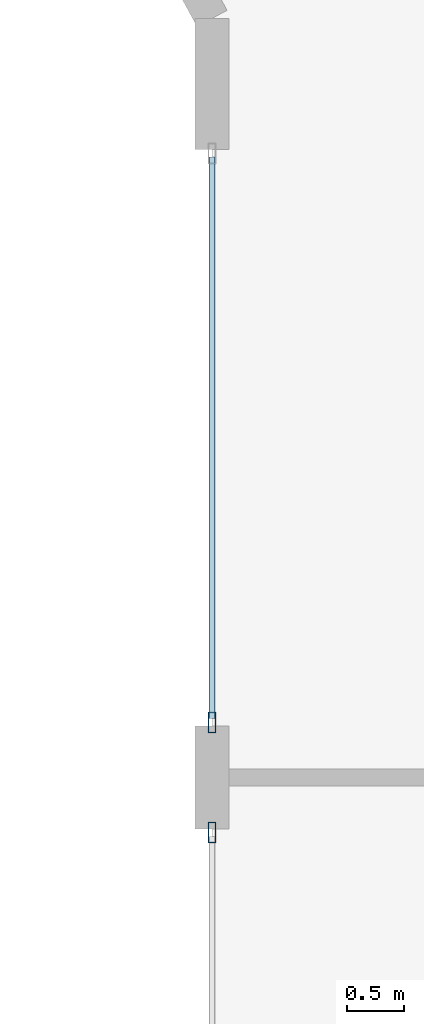
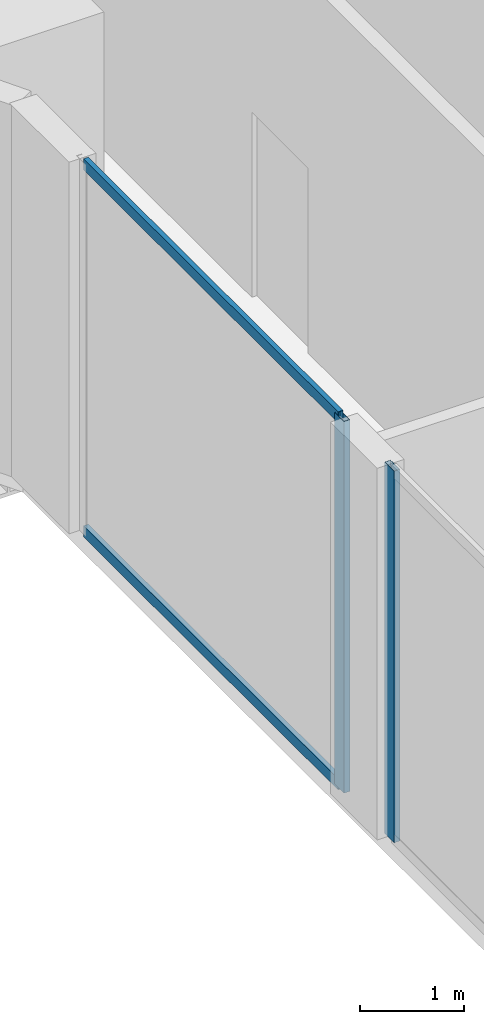
# One storey, part 4 of 33: 4 members, 2 elements without a shape of their own.
"""IFC4 building model written with IfcOpenShell, lengths in metres."""

from ifc_helpers import new_model, si_unit, direction, frame, origin, origin_2d, place, context, subcontext, project, spatial, hollow_rectangle, extrude, material, layer, layer_set, material_profile, profile_set, type_object, element, aggregate, save


model = new_model("IFC4")

# Units and contexts
model_context = context("Model", 3, precision=1e-05, world=origin(), true_north=direction((0.0, 1.0)))
body_context = subcontext(model_context, "Body", "Model", "MODEL_VIEW")
ifc_project = project(units=[si_unit("LENGTHUNIT", "METRE"), si_unit("AREAUNIT", "SQUARE_METRE"), si_unit("VOLUMEUNIT", "CUBIC_METRE"), si_unit("PLANEANGLEUNIT", "RADIAN"), si_unit("MASSUNIT", "GRAM", prefix="KILO")], contexts=[model_context])

# Site, building, storey
site_placement = place(None, origin())
site = spatial("IfcSite", under=ifc_project, at=site_placement, CompositionType="ELEMENT")
building_placement = place(site_placement, origin())
building = spatial("IfcBuilding", under=site, at=building_placement, Name="Zuhayl Quay Hotel", CompositionType="ELEMENT")
storey_placement = place(building_placement, frame((0.0, 0.0, 168.199951171875)))
storey = spatial("IfcBuildingStorey", under=building, at=storey_placement, Name="L42", CompositionType="ELEMENT", Elevation=168.199951171875)

# Curtain wall, member
ifc_material_1 = material(Name="Anodised Aluminium 6063-T6", Category="aluminium")
ifc_layer = layer(ifc_material_1, 0.175048828125, Name="Anodised Aluminium 6063-T6", Category="aluminium")
ifc_layer_set = layer_set([ifc_layer], Name="Anodised Aluminium 6063-T6")
curtain_wall_type = type_object("IfcCurtainWallType", Name="CW_SYS_Z3", PredefinedType="USERDEFINED", material=ifc_layer_set)
curtain_wall_1_placement = place(storey_placement, origin())
curtain_wall_1 = element("IfcCurtainWall", 1, at=curtain_wall_1_placement, inside=storey, type_object=curtain_wall_type, Name="L42 Curtain Wall ENV_L42_E02_CW1", ObjectType="UNITISED CURTAIN WALL", PredefinedType="USERDEFINED")
ifc_material_2 = material(Name="Black-anodised aluminium 6063-T6", Category="aluminium")
ifc_material_profile_1 = material_profile(ifc_material_2, hollow_rectangle(XDim=0.06494140625, YDim=0.179931640625, WallThickness=0.00341796875, at=origin_2d()), Name="ALU180X65")
ifc_profile_set_1 = profile_set([ifc_material_profile_1], Name="Black-anodised aluminium 6063-T6")
member_type_1 = type_object("IfcMemberType", Name="MB_CW_MUL_180", PredefinedType="MULLION", material=ifc_profile_set_1)
member_1_placement = place(storey_placement, frame((-22.10009765625, 1.0673828125, 0.0), z_axis=(0.0, 0.0, 1.0), x_axis=(-1.0, 0.0, 0.0)))
member_1 = element("IfcMember", 2, at=member_1_placement, type_object=member_type_1, Name="CW-Z3 mullion 2", PredefinedType="MULLION", context=body_context, shape_type="SweptSolid", body=[
    extrude(hollow_rectangle(XDim=0.06494140625, YDim=0.179931640625, WallThickness=0.00341796875, at=origin_2d()), origin(), (0.0, 0.0, 1.0), 4.380126953125),
])
aggregate(curtain_wall_1, [member_1])

# Curtain wall, members
curtain_wall_2_placement = place(storey_placement, origin())
curtain_wall_2 = element("IfcCurtainWall", 3, at=curtain_wall_2_placement, inside=storey, type_object=curtain_wall_type, Name="L42 Curtain Wall ENV_L42_E02_CW2", ObjectType="UNITISED CURTAIN WALL", PredefinedType="USERDEFINED")
member_2_placement = place(storey_placement, frame((-22.10009765625, 2.032470703125, 0.0), z_axis=(0.0, 0.0, 1.0), x_axis=(-1.0, 0.0, 0.0)))
member_2 = element("IfcMember", 4, at=member_2_placement, type_object=member_type_1, Name="CW-Z3 mullion 1", PredefinedType="MULLION", context=body_context, shape_type="SweptSolid", body=[
    extrude(hollow_rectangle(XDim=0.06494140625, YDim=0.179931640625, WallThickness=0.00341796875, at=origin_2d()), origin(), (0.0, 0.0, 1.0), 4.380126953125),
])
ifc_material_profile_2 = material_profile(ifc_material_2, hollow_rectangle(XDim=0.054931640625, YDim=0.1298828125, WallThickness=0.0029296875, at=origin_2d()), Name="ALU130X55")
ifc_profile_set_2 = profile_set([ifc_material_profile_2], Name="Black-anodised aluminium 6063-T6")
member_type_2 = type_object("IfcMemberType", Name="MB_CW_TRN_130", PredefinedType="USERDEFINED", material=ifc_profile_set_2)
member_3_placement = place(storey_placement, frame((-22.10009765625, 2.06494140625, 0.027587890625), z_axis=(0.0, 1.0, 0.0), x_axis=(-1.0, 0.0, 0.0)))
member_3 = element("IfcMember", 5, at=member_3_placement, type_object=member_type_2, Name="CW-Z3 transom 1.1", ObjectType="TRANSOM", PredefinedType="USERDEFINED", context=body_context, shape_type="SweptSolid", body=[
    extrude(hollow_rectangle(XDim=0.054931640625, YDim=0.1298828125, WallThickness=0.0029296875, at=origin_2d()), origin(), (0.0, 0.0, 1.0), 4.920166015625),
])
member_4_placement = place(storey_placement, frame((-22.10009765625, 2.06494140625, 4.3525390625), z_axis=(0.0, 1.0, 0.0), x_axis=(-1.0, 0.0, 0.0)))
member_4 = element("IfcMember", 6, at=member_4_placement, type_object=member_type_2, Name="CW-Z3 transom 1.2", ObjectType="TRANSOM", PredefinedType="USERDEFINED", context=body_context, shape_type="SweptSolid", body=[
    extrude(hollow_rectangle(XDim=0.054931640625, YDim=0.1298828125, WallThickness=0.0029296875, at=origin_2d()), origin(), (0.0, 0.0, 1.0), 4.920166015625),
])
aggregate(curtain_wall_2, [member_2, member_3, member_4])

save(model, "model.ifc")
